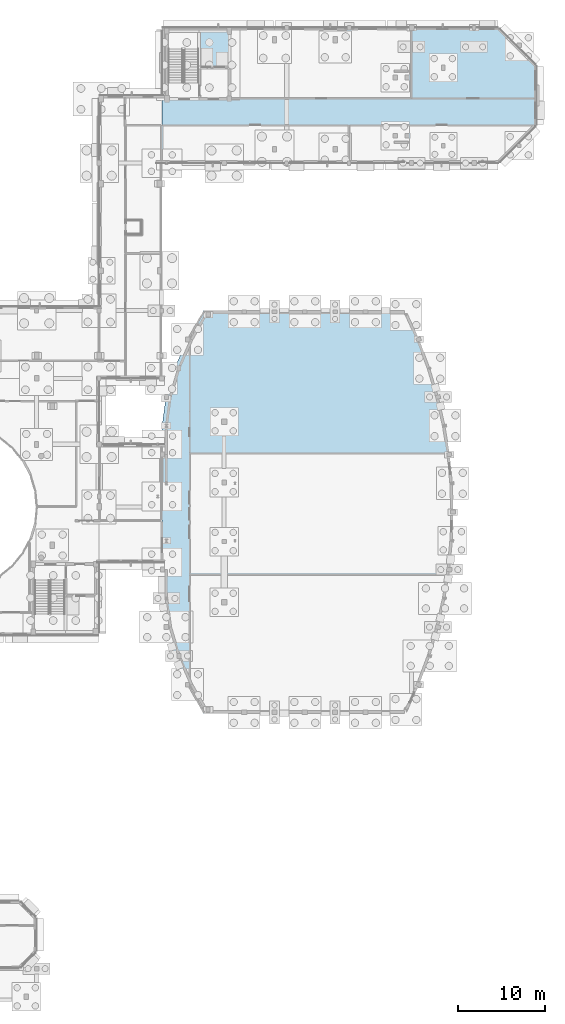
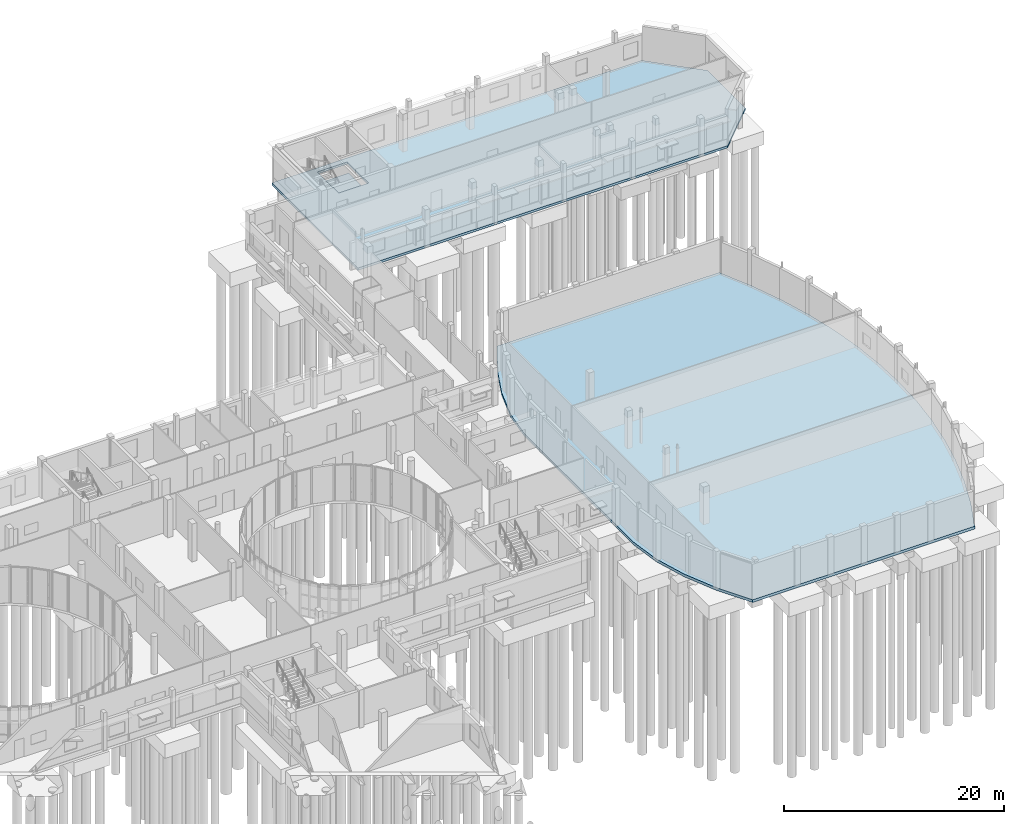
# One storey, part 60 of 93: 3 slabs.
"""IFC4 building model written with IfcOpenShell, lengths in metres."""

import ifcopenshell
import ifcopenshell.guid

model = None  # the IFC model being written
_history = None  # IfcOwnerHistory: only IFC2X3 demands one
_inside = {}  # id of a spatial element -> (the spatial element, [elements in it])
_under = {}  # id of a project, library or spatial element -> (it, [spatial elements below it])
_declared = {}  # id of a project -> (the project, [libraries it declares])
_typed = {}  # id of a type object -> (the type object, [elements of that type])
_made_of = {}  # id of a material, layer set ... -> (it, [elements and type objects made of it])


def new_model(schema):
    """Start an empty IFC model of exactly this schema.

    Asked for "IFC4X3", IfcOpenShell would pick the latest addendum, in which some entities
    have other attributes; the version numbers below select the first issue.
    IFC2X3 requires an IfcOwnerHistory on every rooted entity: one is made here for all.
    """
    global model, _history
    if schema == "IFC4X3":
        model = ifcopenshell.file(schema_version=(4, 3, 0, 0))
    else:
        model = ifcopenshell.file(schema=schema)
    _inside.clear()
    _under.clear()
    _declared.clear()
    _typed.clear()
    _made_of.clear()
    _history = None
    if model.schema == "IFC2X3":
        org = make("IfcOrganization", Name="unknown")
        user = make(
            "IfcPersonAndOrganization",
            ThePerson=make("IfcPerson", FamilyName="unknown"),
            TheOrganization=org,
        )
        app = make(
            "IfcApplication",
            ApplicationDeveloper=org,
            Version="unknown",
            ApplicationFullName="unknown",
            ApplicationIdentifier="unknown",
        )
        _history = make(
            "IfcOwnerHistory",
            OwningUser=user,
            OwningApplication=app,
            ChangeAction="ADDED",
            CreationDate=0,
        )
    return model


def make(cls, **values):
    """One entity of the class cls with the attributes given. An attribute that is None is left unset."""
    return model.create_entity(
        cls, **{name: value for name, value in values.items() if value is not None}
    )


def rooted(cls, **values):
    """An entity with a GlobalId (a new one), such as an element, a storey or a relation."""
    return make(cls, GlobalId=ifcopenshell.guid.new(), OwnerHistory=_history, **values)


def si_unit(unit_type, name, prefix=None):
    """IfcSIUnit, for example si_unit("LENGTHUNIT", "METRE", prefix="MILLI")."""
    return make("IfcSIUnit", UnitType=unit_type, Prefix=prefix, Name=name)


def assignment(units):
    """IfcUnitAssignment: the units of a project."""
    return None if units is None else make("IfcUnitAssignment", Units=units)


def point(xyz):
    """IfcCartesianPoint."""
    return None if xyz is None else make("IfcCartesianPoint", Coordinates=xyz)


def direction(xyz):
    """IfcDirection."""
    return None if xyz is None else make("IfcDirection", DirectionRatios=xyz)


def frame(location, z_axis=None, x_axis=None):
    """IfcAxis2Placement3D, a coordinate frame: its origin and axes. An axis left out is left unset."""
    return make(
        "IfcAxis2Placement3D",
        Location=point(location),
        Axis=direction(z_axis),
        RefDirection=direction(x_axis),
    )


def origin():
    """The frame at (0, 0, 0) with its axes left unset."""
    return frame((0.0, 0.0, 0.0))


def place(relative_to, where):
    """IfcLocalPlacement: puts the frame where relative to a parent placement (None: the world)."""
    return make(
        "IfcLocalPlacement", PlacementRelTo=relative_to, RelativePlacement=where
    )


def context(
    kind, dimensions, precision=None, world=None, true_north=None, identifier=None
):
    """IfcGeometricRepresentationContext, for example the 3D "Model" context."""
    return make(
        "IfcGeometricRepresentationContext",
        ContextIdentifier=identifier,
        ContextType=kind,
        CoordinateSpaceDimension=dimensions,
        Precision=precision,
        WorldCoordinateSystem=world,
        TrueNorth=true_north,
    )


def subcontext(parent, identifier, kind, view, scale=None):
    """IfcGeometricRepresentationSubContext, for example "Body" below "Model"."""
    return make(
        "IfcGeometricRepresentationSubContext",
        ContextIdentifier=identifier,
        ContextType=kind,
        ParentContext=parent,
        TargetScale=scale,
        TargetView=view,
    )


def project(units=None, contexts=None):
    """IfcProject with its units and contexts."""
    return rooted(
        "IfcProject",
        Name="project",
        RepresentationContexts=contexts,
        UnitsInContext=assignment(units),
    )


def spatial(cls, under=None, at=None, **own):
    """A site, building, storey or space (cls), placed at a placement, below another one or the project."""
    s = rooted(cls, ObjectPlacement=at, **own)
    if under is not None:
        _under.setdefault(under.id(), (under, []))[1].append(s)
    return s


def polyline(points):
    """IfcPolyline through the points."""
    return make("IfcPolyline", Points=[point(p) for p in points])


def outline(outer, holes=None, kind="AREA"):
    """IfcArbitraryClosedProfileDef: a profile drawn as a closed curve; with holes, ...WithVoids."""
    if holes is None:
        return make("IfcArbitraryClosedProfileDef", ProfileType=kind, OuterCurve=outer)
    return make(
        "IfcArbitraryProfileDefWithVoids",
        ProfileType=kind,
        OuterCurve=outer,
        InnerCurves=holes,
    )


def extrude(swept, where, along, depth):
    """IfcExtrudedAreaSolid: the profile swept, set in the frame where, extruded along a direction by depth."""
    return make(
        "IfcExtrudedAreaSolid",
        SweptArea=swept,
        Position=where,
        ExtrudedDirection=direction(along),
        Depth=depth,
    )


def shape(context_of_items, identifier, shape_type, items):
    """IfcShapeRepresentation: the items that make up one representation, for example the "Body"."""
    return make(
        "IfcShapeRepresentation",
        ContextOfItems=context_of_items,
        RepresentationIdentifier=identifier,
        RepresentationType=shape_type,
        Items=items,
    )


def material(Name=None, Category=None):
    """IfcMaterial."""
    return make("IfcMaterial", Name=Name, Category=Category)


def layer(
    of_material, thickness, ventilated=None, Name=None, Category=None, Priority=None
):
    """IfcMaterialLayer: one layer of a wall or slab, of a material (None: an air gap)."""
    return make(
        "IfcMaterialLayer",
        Material=of_material,
        LayerThickness=thickness,
        IsVentilated=ventilated,
        Name=Name,
        Category=Category,
        Priority=Priority,
    )


def layer_set(layers, Name=None):
    """IfcMaterialLayerSet."""
    return make("IfcMaterialLayerSet", MaterialLayers=layers, LayerSetName=Name)


def made_of(thing, what):
    """Note that an element or type object is made of a material, layer set ...; save() writes the relation."""
    if what is not None:
        _made_of.setdefault(what.id(), (what, []))[1].append(thing)
    return thing


def type_object(cls, material=None, **own):
    """A type object (cls), such as IfcWallType, which elements share."""
    return made_of(rooted(cls, **own), material)


def element(
    cls,
    number,
    at=None,
    inside=None,
    cuts=None,
    type_object=None,
    material=None,
    context=None,
    identifier="Body",
    shape_type=None,
    held_by="IfcProductDefinitionShape",
    body=None,
    shapes=None,
    **own,
):
    """One element of the class cls, such as IfcWall. Its Tag is "e" and its number.

    at: its placement. inside: the storey or other place that contains it. cuts: it is an
    opening in that element (IfcRelVoidsElement). A single representation is given by context,
    identifier, shape_type and body (its items); several are given by shapes. held_by: the class
    of the entity that holds the representations. save() writes the other relations.
    """
    e = rooted(cls, Tag="e%d" % number, ObjectPlacement=at, **own)
    if body is not None:
        shapes = [shape(context, identifier, shape_type, body)]
    if shapes is not None:
        e.Representation = make(held_by, Representations=shapes)
    if inside is not None:
        _inside.setdefault(inside.id(), (inside, []))[1].append(e)
    if cuts is not None:
        rooted(
            "IfcRelVoidsElement", RelatingBuildingElement=cuts, RelatedOpeningElement=e
        )
    if type_object is not None:
        _typed.setdefault(type_object.id(), (type_object, []))[1].append(e)
    return made_of(e, material)


def aggregate(whole, parts):
    """IfcRelAggregates: a whole, such as a stair, and the parts it consists of."""
    return rooted("IfcRelAggregates", RelatingObject=whole, RelatedObjects=parts)


def save(model, path):
    """Write the relations noted so far, then the file.

    IfcRelAggregates (storeys below a building ...), IfcRelContainedInSpatialStructure (elements
    in a storey), IfcRelDefinesByType, IfcRelAssociatesMaterial and IfcRelDeclares: one each for
    every whole, place, type object, material and project.
    """
    for whole, parts in _under.values():
        aggregate(whole, parts)
    for where, things in _inside.values():
        rooted(
            "IfcRelContainedInSpatialStructure",
            RelatedElements=things,
            RelatingStructure=where,
        )
    for kind, things in _typed.values():
        rooted("IfcRelDefinesByType", RelatedObjects=things, RelatingType=kind)
    for what, things in _made_of.values():
        rooted("IfcRelAssociatesMaterial", RelatedObjects=things, RelatingMaterial=what)
    for by, libraries in _declared.values():
        rooted("IfcRelDeclares", RelatingContext=by, RelatedDefinitions=libraries)
    model.write(path)


model = new_model("IFC4")

# Units and contexts
model_context = context("Model", 3, precision=1e-05, world=origin(), true_north=direction((0.0, 1.0)))
body_context = subcontext(model_context, "Body", "Model", "MODEL_VIEW")
ifc_project = project(units=[si_unit("LENGTHUNIT", "METRE"), si_unit("AREAUNIT", "SQUARE_METRE"), si_unit("VOLUMEUNIT", "CUBIC_METRE"), si_unit("PLANEANGLEUNIT", "RADIAN"), si_unit("MASSUNIT", "GRAM", prefix="KILO")], contexts=[model_context])

# Site, building, storey
site_placement = place(None, origin())
site = spatial("IfcSite", under=ifc_project, at=site_placement, CompositionType="ELEMENT")
building_placement = place(site_placement, origin())
building = spatial("IfcBuilding", under=site, at=building_placement, Name="Kelanivale Promenade Academy", CompositionType="ELEMENT")
storey_placement = place(building_placement, origin())
storey = spatial("IfcBuildingStorey", under=building, at=storey_placement, Name="L00", CompositionType="ELEMENT", Elevation=0.0)

# Slabs
ifc_material = material(Name="Concrete C35/45", Category="concrete")
ifc_layer_1 = layer(ifc_material, 0.25)
ifc_layer_set_1 = layer_set([ifc_layer_1], Name="Concrete C35/45")
slab_type_1 = type_object("IfcSlabType", Name="BS-01 Slab 250mm", PredefinedType="BASESLAB", material=ifc_layer_set_1)
slab_1_placement = place(storey_placement, frame((0.0, 0.0, -0.25)))
element("IfcSlab", 1, at=slab_1_placement, inside=storey, type_object=slab_type_1, Name="L00 structural slab SLB-L00-V5M", PredefinedType="BASESLAB", context=body_context, shape_type="SweptSolid", body=[
    extrude(outline(polyline([(161.632080078125, 96.39990234375), (166.0, 100.76806640625), (166.0, 107.632080078125), (161.632080078125, 112.0), (122.85009765625, 112.0), (122.85009765625, 96.39990234375), (161.632080078125, 96.39990234375)]), holes=[polyline([(127.284912109375, 107.574951171875), (127.284912109375, 111.43505859375), (130.43505859375, 111.43505859375), (130.43505859375, 107.574951171875), (127.284912109375, 107.574951171875)])]), origin(), (0.0, 0.0, 1.0), 0.25),
])
ifc_layer_2 = layer(ifc_material, 0.300048828125)
ifc_layer_set_2 = layer_set([ifc_layer_2], Name="Concrete C35/45")
slab_type_2 = type_object("IfcSlabType", Name="BS-02 Slab 300mm", PredefinedType="BASESLAB", material=ifc_layer_set_2)
slab_2_placement = place(storey_placement, frame((0.0, 0.0, -0.300048828125)))
element("IfcSlab", 2, at=slab_2_placement, inside=storey, type_object=slab_type_2, Name="L00 structural slab SLB-L00-V2", PredefinedType="BASESLAB", context=body_context, shape_type="SweptSolid", body=[
    extrude(outline(polyline([(155.44091796875, 66.14306640625), (154.681884765625, 69.45703125), (153.68896484375, 72.77099609375), (152.447021484375, 76.0859375), (150.93798828125, 79.39990234375), (127.64990234375, 79.39990234375), (125.75, 76.0859375), (124.300048828125, 72.77099609375), (123.300048828125, 69.45703125), (122.85009765625, 66.14306640625), (122.85009765625, 46.257080078125), (123.300048828125, 42.943115234375), (124.300048828125, 39.62890625), (125.75, 36.31396484375), (127.64990234375, 33.0), (150.93798828125, 33.0), (152.447021484375, 36.31396484375), (153.68896484375, 39.62890625), (154.681884765625, 42.943115234375), (155.44091796875, 46.257080078125), (155.97607421875, 49.571044921875), (156.2939453125, 52.885986328125), (156.39990234375, 56.199951171875), (156.2939453125, 59.513916015625), (155.97607421875, 62.8291015625), (155.44091796875, 66.14306640625)])), origin(), (0.0, 0.0, 1.0), 0.300048828125),
])
slab_3_placement = place(storey_placement, frame((0.0, 0.0, -1.85009765625)))
element("IfcSlab", 3, at=slab_3_placement, inside=storey, type_object=slab_type_2, Name="CORE-5 lift pit waterproof RC base slab (-1.550 m)", PredefinedType="BASESLAB", context=body_context, shape_type="SweptSolid", body=[
    extrude(outline(polyline([(126.955078125, 107.2451171875), (130.764892578125, 107.2451171875), (130.764892578125, 111.764892578125), (126.955078125, 111.764892578125), (126.955078125, 107.2451171875)])), origin(), (0.0, 0.0, 1.0), 0.300048828125),
])

save(model, "model.ifc")
